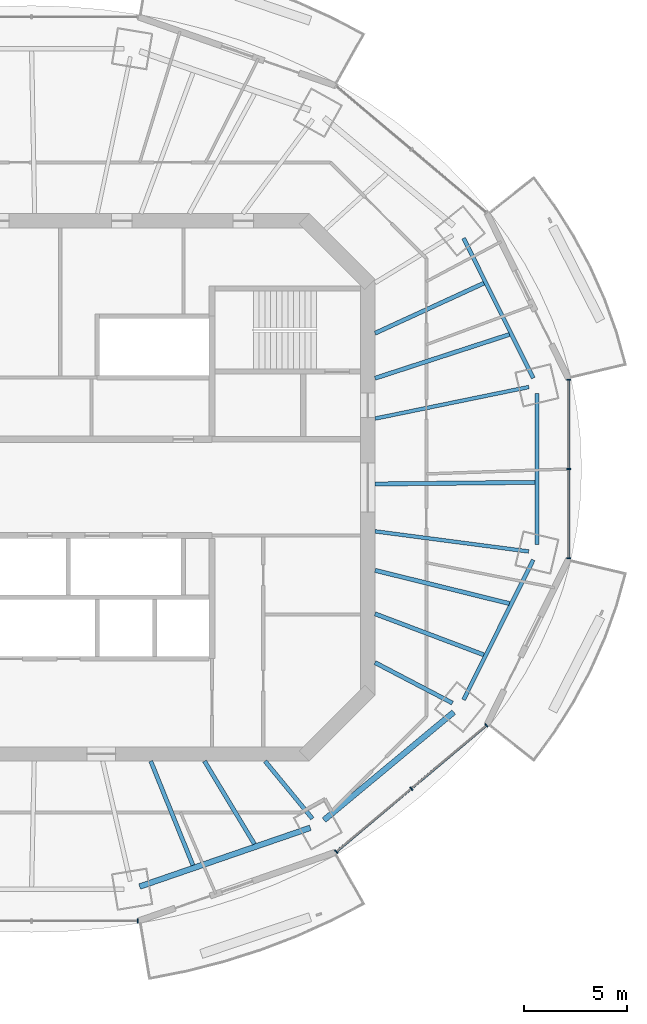
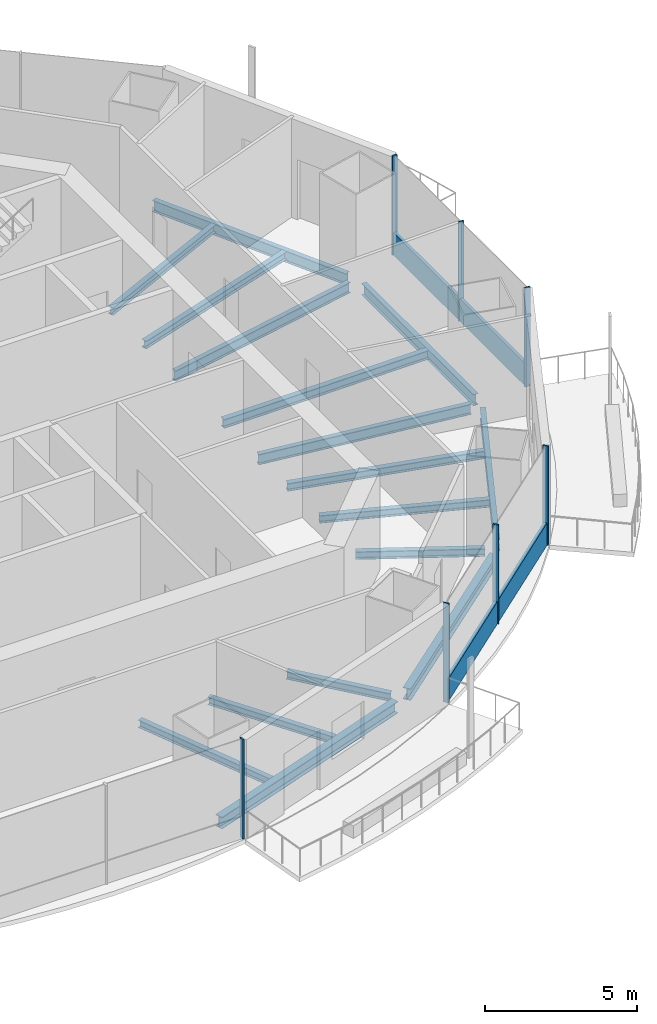
# One storey, part 4 of 16: 16 beams, 9 members, 3 elements without a shape of their own.
"""IFC4 building model written with IfcOpenShell, lengths in metres."""

from ifc_helpers import new_model, si_unit, direction, frame, origin, origin_2d, place, context, subcontext, project, spatial, rectangle, i_section, extrude, material, material_profile, profile_set, type_object, element, aggregate, save


model = new_model("IFC4")

# Units and contexts
model_context = context("Model", 3, precision=1e-05, world=origin(), true_north=direction((0.0, 1.0)))
body_context = subcontext(model_context, "Body", "Model", "MODEL_VIEW")
ifc_project = project(units=[si_unit("LENGTHUNIT", "METRE"), si_unit("AREAUNIT", "SQUARE_METRE"), si_unit("VOLUMEUNIT", "CUBIC_METRE"), si_unit("PLANEANGLEUNIT", "RADIAN"), si_unit("MASSUNIT", "GRAM", prefix="KILO")], contexts=[model_context])

# Site, building, storey
site_placement = place(None, origin())
site = spatial("IfcSite", under=ifc_project, at=site_placement, CompositionType="ELEMENT")
building_placement = place(site_placement, origin())
building = spatial("IfcBuilding", under=site, at=building_placement, Name="Marenthal Gate Tower", CompositionType="ELEMENT")
storey_placement = place(building_placement, frame((0.0, 0.0, 350.89990234375)))
storey = spatial("IfcBuildingStorey", under=building, at=storey_placement, Name="L79", CompositionType="ELEMENT", Elevation=350.89990234375)

# Curtain wall, member
ifc_material_1 = material(Name="Aluminium and glass", Category="aluminium")
curtain_wall_type = type_object("IfcCurtainWallType", Name="Curtain wall typical high", PredefinedType="NOTDEFINED", material=ifc_material_1)
curtain_wall_1_placement = place(storey_placement, origin())
curtain_wall_1 = element("IfcCurtainWall", 1, at=curtain_wall_1_placement, inside=storey, type_object=curtain_wall_type, Name="Curtain wall L79 bay 12", PredefinedType="NOTDEFINED")
ifc_material_2 = material(Name="Aluminium", Category="aluminium")
ifc_material_profile_1 = material_profile(ifc_material_2, rectangle(XDim=0.199951171875, YDim=0.06005859375, at=origin_2d()), Name="60x200 aluminium mullion")
ifc_profile_set_1 = profile_set([ifc_material_profile_1], Name="Aluminium")
member_type_1 = type_object("IfcMemberType", Name="Mullion 60x200 typical high", PredefinedType="MULLION", material=ifc_profile_set_1)
member_1_placement = place(storey_placement, frame((4.7802734375, -21.14404296875, 0.0), z_axis=(0.0, 0.0, 1.0), x_axis=(0.0, 1.0, 0.0)))
member_1 = element("IfcMember", 2, at=member_1_placement, type_object=member_type_1, Name="Mullion L79 bay 12.3", PredefinedType="MULLION", context=body_context, shape_type="SweptSolid", body=[
    extrude(rectangle(XDim=0.199951171875, YDim=0.06005859375, at=origin_2d()), origin(), (0.0, 0.0, 1.0), 3.97021484375),
])
aggregate(curtain_wall_1, [member_1])

# Curtain wall, members
curtain_wall_2_placement = place(storey_placement, origin())
curtain_wall_2 = element("IfcCurtainWall", 3, at=curtain_wall_2_placement, inside=storey, type_object=curtain_wall_type, Name="Curtain wall L79 bay 14", PredefinedType="NOTDEFINED")
member_2_placement = place(storey_placement, frame((14.46044921875, -17.768798828125, 0.0), z_axis=(0.0, 0.0, 1.0), x_axis=(-0.643895579249, 0.765113379195, 0.0)))
member_2 = element("IfcMember", 4, at=member_2_placement, type_object=member_type_1, Name="Mullion L79 bay 14.1", PredefinedType="MULLION", context=body_context, shape_type="SweptSolid", body=[
    extrude(rectangle(XDim=0.199951171875, YDim=0.06005859375, at=origin_2d()), origin(), (0.0, 0.0, 1.0), 3.97021484375),
])
member_3_placement = place(storey_placement, frame((18.121826171875, -14.6875, 0.0), z_axis=(0.0, 0.0, 1.0), x_axis=(-0.643895579249, 0.765113379195, 0.0)))
member_3 = element("IfcMember", 5, at=member_3_placement, type_object=member_type_1, Name="Mullion L79 bay 14.2", PredefinedType="MULLION", context=body_context, shape_type="SweptSolid", body=[
    extrude(rectangle(XDim=0.199951171875, YDim=0.06005859375, at=origin_2d()), origin(), (0.0, 0.0, 1.0), 3.97021484375),
])
member_4_placement = place(storey_placement, frame((21.783203125, -11.606201171875, 0.0), z_axis=(0.0, 0.0, 1.0), x_axis=(-0.643895579249, 0.765113379195, 0.0)))
member_4 = element("IfcMember", 6, at=member_4_placement, type_object=member_type_1, Name="Mullion L79 bay 14.3", PredefinedType="MULLION", context=body_context, shape_type="SweptSolid", body=[
    extrude(rectangle(XDim=0.199951171875, YDim=0.06005859375, at=origin_2d()), origin(), (0.0, 0.0, 1.0), 3.97021484375),
])

curtain_wall_3_placement = place(storey_placement, origin())
curtain_wall_3 = element("IfcCurtainWall", 7, at=curtain_wall_3_placement, inside=storey, type_object=curtain_wall_type, Name="Curtain wall L79 bay 16", PredefinedType="NOTDEFINED")
member_5_placement = place(storey_placement, frame((25.793701171875, -3.454833984375, 0.0), z_axis=(0.0, 0.0, 1.0), x_axis=(-1.0, 0.0, 0.0)))
member_5 = element("IfcMember", 8, at=member_5_placement, type_object=member_type_1, Name="Mullion L79 bay 16.1", PredefinedType="MULLION", context=body_context, shape_type="SweptSolid", body=[
    extrude(rectangle(XDim=0.199951171875, YDim=0.06005859375, at=origin_2d()), origin(), (0.0, 0.0, 1.0), 3.97021484375),
])
member_6_placement = place(storey_placement, frame((25.793701171875, 0.89990234375, 0.0), z_axis=(0.0, 0.0, 1.0), x_axis=(-1.0, 0.0, 0.0)))
member_6 = element("IfcMember", 9, at=member_6_placement, type_object=member_type_1, Name="Mullion L79 bay 16.2", PredefinedType="MULLION", context=body_context, shape_type="SweptSolid", body=[
    extrude(rectangle(XDim=0.199951171875, YDim=0.06005859375, at=origin_2d()), origin(), (0.0, 0.0, 1.0), 3.97021484375),
])
member_7_placement = place(storey_placement, frame((25.793701171875, 5.2548828125, 0.0), z_axis=(0.0, 0.0, 1.0), x_axis=(-1.0, 0.0, 0.0)))
member_7 = element("IfcMember", 10, at=member_7_placement, type_object=member_type_1, Name="Mullion L79 bay 16.3", PredefinedType="MULLION", context=body_context, shape_type="SweptSolid", body=[
    extrude(rectangle(XDim=0.199951171875, YDim=0.06005859375, at=origin_2d()), origin(), (0.0, 0.0, 1.0), 3.97021484375),
])

# Member
ifc_material_3 = material(Name="Aluminium", Category="aluminium")
ifc_material_profile_2 = material_profile(ifc_material_3, rectangle(XDim=0.1201171875, YDim=0.89990234375, at=origin_2d()), Name="120x900 aluminium transom")
ifc_profile_set_2 = profile_set([ifc_material_profile_2], Name="Aluminium")
member_type_2 = type_object("IfcMemberType", Name="Transom 120x900 typical high", PredefinedType="USERDEFINED", material=ifc_profile_set_2)
member_8_placement = place(storey_placement, frame((14.4833984375, -17.74951171875, 0.4501953125), z_axis=(0.765123507082, 0.643883544526, 0.0), x_axis=(-0.643883544526, 0.765123507082, 0.0)))
member_8 = element("IfcMember", 11, at=member_8_placement, type_object=member_type_2, Name="Transom L79 bay 14", ObjectType="TRANSOM", PredefinedType="USERDEFINED", context=body_context, shape_type="SweptSolid", body=[
    extrude(rectangle(XDim=0.1201171875, YDim=0.89990234375, at=origin_2d()), origin(), (0.0, 0.0, 1.0), 9.5107421875),
])

aggregate(curtain_wall_2, [member_2, member_3, member_4, member_8])

member_9_placement = place(storey_placement, frame((25.793701171875, -3.4248046875, 0.4501953125), z_axis=(0.0, 1.0, 0.0), x_axis=(-1.0, 0.0, 0.0)))
member_9 = element("IfcMember", 12, at=member_9_placement, type_object=member_type_2, Name="Transom L79 bay 16", ObjectType="TRANSOM", PredefinedType="USERDEFINED", context=body_context, shape_type="SweptSolid", body=[
    extrude(rectangle(XDim=0.1201171875, YDim=0.89990234375, at=origin_2d()), origin(), (0.0, 0.0, 1.0), 8.649658203125),
])

aggregate(curtain_wall_3, [member_5, member_6, member_7, member_9])

# Beams
ifc_material_4 = material(Name="Steel S355", Category="steel")
ifc_material_profile_3 = material_profile(ifc_material_4, i_section(OverallWidth=0.202880859375, OverallDepth=0.302001953125, WebThickness=0.007568359375, FlangeThickness=0.01318359375, FilletRadius=0.0126953125, at=origin_2d()), Name="W310X60")
ifc_profile_set_3 = profile_set([ifc_material_profile_3], Name="Steel S355")
beam_type_1 = type_object("IfcBeamType", Name="W310X60 beam", PredefinedType="BEAM", material=ifc_profile_set_3)
beam_1_placement = place(storey_placement, frame((21.656005859375, 9.95849609375, -0.330810546875), z_axis=(-0.908525049261, -0.417830390069, 0.0), x_axis=(0.417830390069, -0.908525049261, 0.0)))
element("IfcBeam", 13, at=beam_1_placement, inside=storey, type_object=beam_type_1, Name="BM-L79-18", PredefinedType="BEAM", context=body_context, shape_type="SweptSolid", body=[
    extrude(i_section(OverallWidth=0.202880859375, OverallDepth=0.302001953125, WebThickness=0.007568359375, FlangeThickness=0.01318359375, FilletRadius=0.0126953125, at=origin_2d()), origin(), (0.0, 0.0, 1.0), 5.840087890625),
])
beam_2_placement = place(storey_placement, frame((7.46875, -18.425048828125, -0.330810546875), z_axis=(-0.37566060871, 0.926757307532, 0.0), x_axis=(-0.926757307532, -0.37566060871, 0.0)))
element("IfcBeam", 14, at=beam_2_placement, inside=storey, type_object=beam_type_1, Name="BM-L79-35", PredefinedType="BEAM", context=body_context, shape_type="SweptSolid", body=[
    extrude(i_section(OverallWidth=0.202880859375, OverallDepth=0.302001953125, WebThickness=0.007568359375, FlangeThickness=0.01318359375, FilletRadius=0.0126953125, at=origin_2d()), origin(), (0.0, 0.0, 1.0), 5.47607421875),
])
beam_3_placement = place(storey_placement, frame((10.467041015625, -17.39208984375, -0.330810546875), z_axis=(-0.515690075221, 0.856775201741, 0.0), x_axis=(-0.856775201741, -0.515690075221, 0.0)))
element("IfcBeam", 15, at=beam_3_placement, inside=storey, type_object=beam_type_1, Name="BM-L79-36", PredefinedType="BEAM", context=body_context, shape_type="SweptSolid", body=[
    extrude(i_section(OverallWidth=0.202880859375, OverallDepth=0.302001953125, WebThickness=0.007568359375, FlangeThickness=0.01318359375, FilletRadius=0.0126953125, at=origin_2d()), origin(), (0.0, 0.0, 1.0), 4.7177734375),
])
beam_4_placement = place(storey_placement, frame((21.653076171875, -8.16455078125, -0.330810546875), z_axis=(-0.935681433013, 0.352845937931, 0.0), x_axis=(-0.352845937931, -0.935681433013, 0.0)))
element("IfcBeam", 16, at=beam_4_placement, inside=storey, type_object=beam_type_1, Name="BM-L79-37", PredefinedType="BEAM", context=body_context, shape_type="SweptSolid", body=[
    extrude(i_section(OverallWidth=0.202880859375, OverallDepth=0.302001953125, WebThickness=0.007568359375, FlangeThickness=0.01318359375, FilletRadius=0.0126953125, at=origin_2d()), origin(), (0.0, 0.0, 1.0), 5.66748046875),
])
ifc_material_5 = material(Name="Steel S355", Category="steel")
ifc_material_profile_4 = material_profile(ifc_material_5, i_section(OverallWidth=0.205078125, OverallDepth=0.31005859375, WebThickness=0.009521484375, FlangeThickness=0.016357421875, FilletRadius=0.0126953125, at=origin_2d()), Name="W310X74")
ifc_profile_set_4 = profile_set([ifc_material_profile_4], Name="Steel S355")
beam_type_2 = type_object("IfcBeamType", Name="W310X74 beam", PredefinedType="BEAM", material=ifc_profile_set_4)
beam_5_placement = place(storey_placement, frame((13.2958984375, -16.154052734375, -0.3349609375), z_axis=(-0.635457429148, 0.772135904968, 0.0), x_axis=(-0.772135904968, -0.635457429148, 0.0)))
element("IfcBeam", 17, at=beam_5_placement, inside=storey, type_object=beam_type_2, Name="BM-L79-14", PredefinedType="BEAM", context=body_context, shape_type="SweptSolid", body=[
    extrude(i_section(OverallWidth=0.205078125, OverallDepth=0.31005859375, WebThickness=0.009521484375, FlangeThickness=0.016357421875, FilletRadius=0.0126953125, at=origin_2d()), origin(), (0.0, 0.0, 1.0), 3.63134765625),
])
beam_6_placement = place(storey_placement, frame((20.122314453125, -10.515869140625, -0.3349609375), z_axis=(-0.886264510552, 0.463179465582, 0.0), x_axis=(-0.463179465582, -0.886264510552, 0.0)))
element("IfcBeam", 18, at=beam_6_placement, inside=storey, type_object=beam_type_2, Name="BM-L79-15", PredefinedType="BEAM", context=body_context, shape_type="SweptSolid", body=[
    extrude(i_section(OverallWidth=0.205078125, OverallDepth=0.31005859375, WebThickness=0.009521484375, FlangeThickness=0.016357421875, FilletRadius=0.0126953125, at=origin_2d()), origin(), (0.0, 0.0, 1.0), 4.25634765625),
])
beam_7_placement = place(storey_placement, frame((22.90185546875, 7.45751953125, -0.3349609375), z_axis=(-0.950864154152, -0.309608398382, 0.0), x_axis=(0.309608398382, -0.950864154152, 0.0)))
element("IfcBeam", 19, at=beam_7_placement, inside=storey, type_object=beam_type_2, Name="BM-L79-17", PredefinedType="BEAM", context=body_context, shape_type="SweptSolid", body=[
    extrude(i_section(OverallWidth=0.205078125, OverallDepth=0.31005859375, WebThickness=0.009521484375, FlangeThickness=0.016357421875, FilletRadius=0.0126953125, at=origin_2d()), origin(), (0.0, 0.0, 1.0), 6.890380859375),
])
beam_8_placement = place(storey_placement, frame((22.898681640625, -5.6640625, -0.3349609375), z_axis=(-0.970741975018, 0.240125004818, 0.0), x_axis=(-0.240125004818, -0.970741975018, 0.0)))
element("IfcBeam", 20, at=beam_8_placement, inside=storey, type_object=beam_type_2, Name="BM-L79-38", PredefinedType="BEAM", context=body_context, shape_type="SweptSolid", body=[
    extrude(i_section(OverallWidth=0.205078125, OverallDepth=0.31005859375, WebThickness=0.009521484375, FlangeThickness=0.016357421875, FilletRadius=0.0126953125, at=origin_2d()), origin(), (0.0, 0.0, 1.0), 6.745849609375),
])
ifc_material_6 = material(Name="Steel S355", Category="steel")
ifc_material_profile_5 = material_profile(ifc_material_6, i_section(OverallWidth=0.205078125, OverallDepth=0.35302734375, WebThickness=0.009521484375, FlangeThickness=0.016845703125, FilletRadius=0.014892578125, at=origin_2d()), Name="W360X79")
ifc_profile_set_5 = profile_set([ifc_material_profile_5], Name="Steel S355")
beam_type_3 = type_object("IfcBeamType", Name="W360X79 beam", PredefinedType="BEAM", material=ifc_profile_set_5)
beam_9_placement = place(storey_placement, frame((24.148681640625, 0.246826171875, -0.3564453125), z_axis=(-0.999947606191, -0.010236448274, 0.0), x_axis=(0.010236448274, -0.999947606191, 0.0)))
element("IfcBeam", 21, at=beam_9_placement, inside=storey, type_object=beam_type_3, Name="BM-L79-39", PredefinedType="BEAM", context=body_context, shape_type="SweptSolid", body=[
    extrude(i_section(OverallWidth=0.205078125, OverallDepth=0.35302734375, WebThickness=0.009521484375, FlangeThickness=0.016845703125, FilletRadius=0.014892578125, at=origin_2d()), origin(), (0.0, 0.0, 1.0), 7.799072265625),
])
ifc_material_7 = material(Name="Steel S355", Category="steel")
ifc_material_profile_6 = material_profile(ifc_material_7, i_section(OverallWidth=0.180908203125, OverallDepth=0.4169921875, WebThickness=0.010986328125, FlangeThickness=0.018310546875, FilletRadius=0.01025390625, at=origin_2d()), Name="W410X85")
ifc_profile_set_6 = profile_set([ifc_material_profile_6], Name="Steel S355")
beam_type_4 = type_object("IfcBeamType", Name="W410X85 beam", PredefinedType="BEAM", material=ifc_profile_set_6)
beam_10_placement = place(storey_placement, frame((23.851806640625, 4.89599609375, -0.388427734375), z_axis=(-0.979577430245, -0.201067297574, 0.0), x_axis=(0.201067297574, -0.979577430245, 0.0)))
element("IfcBeam", 22, at=beam_10_placement, inside=storey, type_object=beam_type_4, Name="BM-L79-01", PredefinedType="BEAM", context=body_context, shape_type="SweptSolid", body=[
    extrude(i_section(OverallWidth=0.180908203125, OverallDepth=0.4169921875, WebThickness=0.010986328125, FlangeThickness=0.018310546875, FilletRadius=0.01025390625, at=origin_2d()), origin(), (0.0, 0.0, 1.0), 7.658203125),
])
beam_11_placement = place(storey_placement, frame((23.8427734375, -3.1240234375, -0.388427734375), z_axis=(-0.99152584313, 0.129909593197, 0.0), x_axis=(-0.129909593197, -0.99152584313, 0.0)))
element("IfcBeam", 23, at=beam_11_placement, inside=storey, type_object=beam_type_4, Name="BM-L79-16", PredefinedType="BEAM", context=body_context, shape_type="SweptSolid", body=[
    extrude(i_section(OverallWidth=0.180908203125, OverallDepth=0.4169921875, WebThickness=0.010986328125, FlangeThickness=0.018310546875, FilletRadius=0.01025390625, at=origin_2d()), origin(), (0.0, 0.0, 1.0), 7.556640625),
])
ifc_material_8 = material(Name="Steel S355", Category="steel")
ifc_material_profile_7 = material_profile(ifc_material_8, i_section(OverallWidth=0.279052734375, OverallDepth=0.4619140625, WebThickness=0.0107421875, FlangeThickness=0.017333984375, FilletRadius=0.010009765625, at=origin_2d()), Name="W460X113")
ifc_profile_set_7 = profile_set([ifc_material_profile_7], Name="Steel S355")
beam_type_5 = type_object("IfcBeamType", Name="W460X113 beam", PredefinedType="BEAM", material=ifc_profile_set_7)
beam_12_placement = place(storey_placement, frame((4.868408203125, -19.46826171875, -0.410888671875), z_axis=(0.945483143703, 0.325671037972, 0.0), x_axis=(-0.325671037972, 0.945483143703, 0.0)))
element("IfcBeam", 24, at=beam_12_placement, inside=storey, type_object=beam_type_5, Name="BM-L79-52", PredefinedType="BEAM", context=body_context, shape_type="SweptSolid", body=[
    extrude(i_section(OverallWidth=0.279052734375, OverallDepth=0.4619140625, WebThickness=0.0107421875, FlangeThickness=0.017333984375, FilletRadius=0.010009765625, at=origin_2d()), origin(), (0.0, 0.0, 1.0), 8.803955078125),
])
beam_13_placement = place(storey_placement, frame((13.860107421875, -16.224609375, -0.410888671875), z_axis=(0.768872300496, 0.639402365909, 0.0), x_axis=(-0.639402365909, 0.768872300496, 0.0)))
element("IfcBeam", 25, at=beam_13_placement, inside=storey, type_object=beam_type_5, Name="BM-L79-53", PredefinedType="BEAM", context=body_context, shape_type="SweptSolid", body=[
    extrude(i_section(OverallWidth=0.279052734375, OverallDepth=0.4619140625, WebThickness=0.0107421875, FlangeThickness=0.017333984375, FilletRadius=0.010009765625, at=origin_2d()), origin(), (0.0, 0.0, 1.0), 8.23291015625),
])
ifc_material_9 = material(Name="Steel S355", Category="steel")
ifc_material_profile_8 = material_profile(ifc_material_9, i_section(OverallWidth=0.19091796875, OverallDepth=0.45703125, WebThickness=0.009033203125, FlangeThickness=0.014404296875, FilletRadius=0.01025390625, at=origin_2d()), Name="W460X74")
ifc_profile_set_8 = profile_set([ifc_material_profile_8], Name="Steel S355")
beam_type_6 = type_object("IfcBeamType", Name="W460X74 beam", PredefinedType="BEAM", material=ifc_profile_set_8)
for number, where, z_axis, x_axis, name in (
    (26, (24.066650390625, 5.3330078125, -0.408447265625), (-0.445842036963, 0.895111656765, 0.0), (-0.895111656765, -0.445842036963, 0.0), "BM-L79-40"),
    (27, (20.668701171875, -10.35498046875, -0.408447265625), (0.445842036963, 0.895111656765, 0.0), (-0.895111656765, 0.445842036963, 0.0), "BM-L79-54"),
):
    element("IfcBeam", number, at=place(storey_placement, frame(where, z_axis=z_axis, x_axis=x_axis)), inside=storey, type_object=beam_type_6, Name=name, PredefinedType="BEAM", context=body_context, shape_type="SweptSolid", body=[
        extrude(i_section(OverallWidth=0.19091796875, OverallDepth=0.45703125, WebThickness=0.009033203125, FlangeThickness=0.014404296875, FilletRadius=0.01025390625, at=origin_2d()), origin(), (0.0, 0.0, 1.0), 7.621337890625),
    ])
beam_14_placement = place(storey_placement, frame((24.244140625, -2.77685546875, -0.408447265625), z_axis=(0.0, 1.0, 0.0), x_axis=(-1.0, 0.0, 0.0)))
element("IfcBeam", 28, at=beam_14_placement, inside=storey, type_object=beam_type_6, Name="BM-L79-55", PredefinedType="BEAM", context=body_context, shape_type="SweptSolid", body=[
    extrude(i_section(OverallWidth=0.19091796875, OverallDepth=0.45703125, WebThickness=0.009033203125, FlangeThickness=0.014404296875, FilletRadius=0.01025390625, at=origin_2d()), origin(), (0.0, 0.0, 1.0), 7.353759765625),
])

save(model, "model.ifc")
